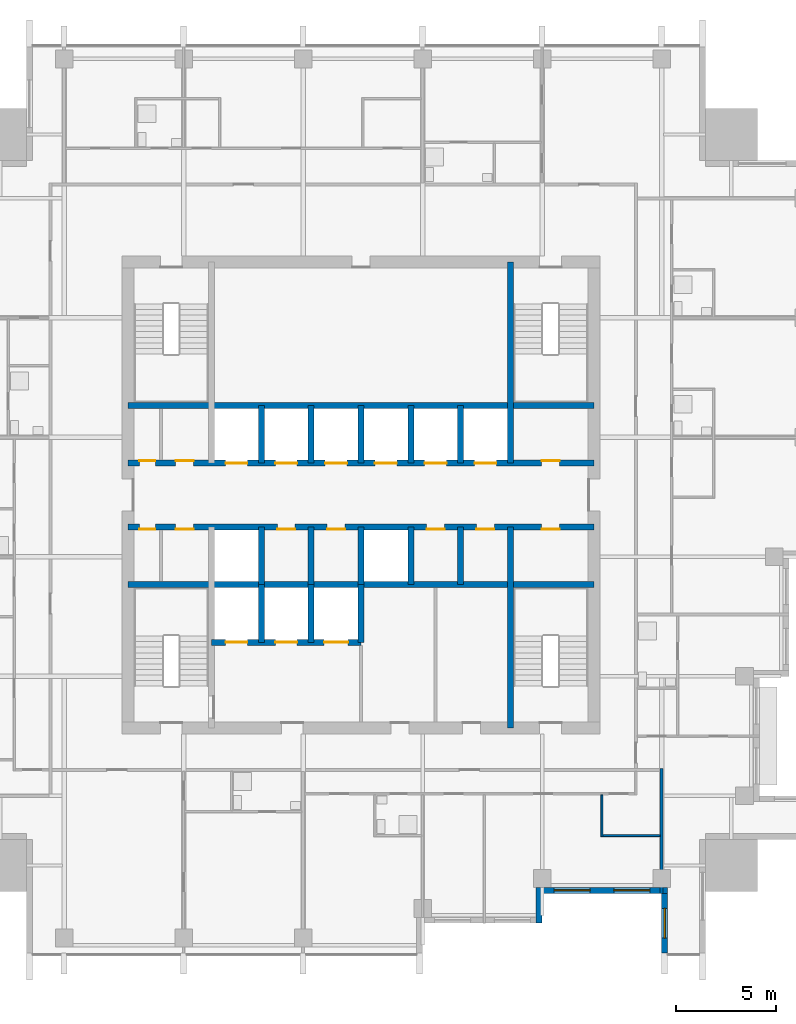
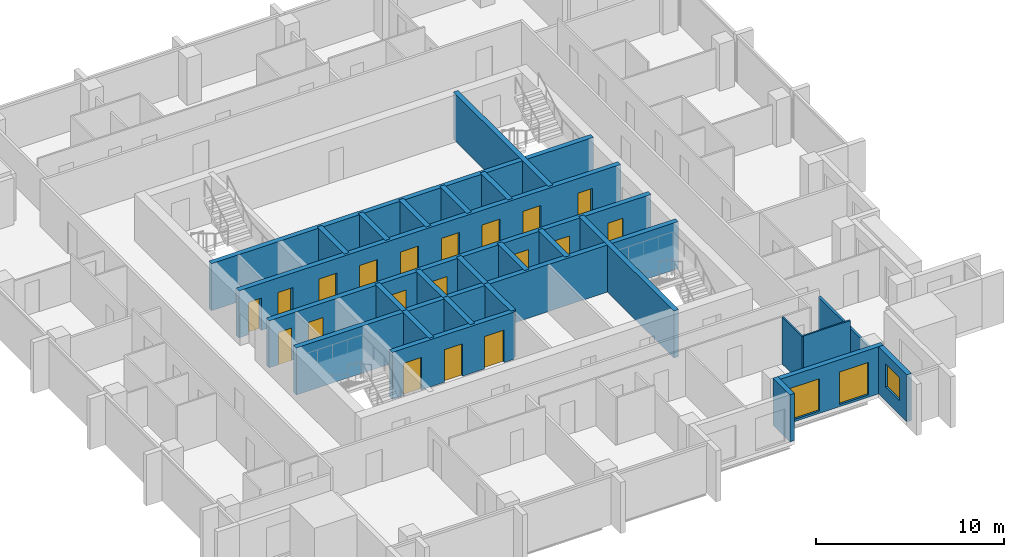
# One storey, part 5 of 10: 26 walls, 19 doors, 3 windows, 22 openings.
"""IFC4 building model written with IfcOpenShell, lengths in metres."""

from ifc_helpers import new_model, si_unit, direction, frame, frame_2d, origin, place, context, subcontext, project, spatial, rectangle, extrude, material, layer, layer_set, type_object, element, fill, save


model = new_model("IFC4")

# Units and contexts
model_context = context("Model", 3, precision=1e-05, world=origin(), true_north=direction((0.0, 1.0)))
body_context = subcontext(model_context, "Body", "Model", "MODEL_VIEW")
ifc_project = project(units=[si_unit("LENGTHUNIT", "METRE"), si_unit("AREAUNIT", "SQUARE_METRE"), si_unit("VOLUMEUNIT", "CUBIC_METRE"), si_unit("PLANEANGLEUNIT", "RADIAN"), si_unit("MASSUNIT", "GRAM", prefix="KILO")], contexts=[model_context])

# Site, building, storey
site_placement = place(None, origin())
site = spatial("IfcSite", under=ifc_project, at=site_placement, CompositionType="ELEMENT")
building_placement = place(site_placement, origin())
building = spatial("IfcBuilding", under=site, at=building_placement, Name="Amberfall Residences", CompositionType="ELEMENT")
storey_placement = place(building_placement, frame((0.0, 0.0, 190.300048828125)))
storey = spatial("IfcBuildingStorey", under=building, at=storey_placement, Name="L50", CompositionType="ELEMENT", Elevation=190.300048828125)

# Wall
ifc_material_1 = material(Name="Pale stone cladding on insulated backing", Category="masonry")
ifc_layer_1 = layer(ifc_material_1, 0.300048828125)
ifc_layer_set_1 = layer_set([ifc_layer_1], Name="Bronze clad wall 300")
wall_type_1 = type_object("IfcWallType", Name="Bronze clad wall 300", PredefinedType="SOLIDWALL", material=ifc_layer_set_1)
wall_1_placement = place(storey_placement, frame((83.449951171875, 24.0, 0.0), z_axis=(0.0, 0.0, 1.0), x_axis=(0.0, 1.0, 0.0)))
element("IfcWall", 1, at=wall_1_placement, inside=storey, type_object=wall_type_1, Name="External wall L50 S", PredefinedType="SOLIDWALL", context=body_context, shape_type="SweptSolid", body=[
    extrude(rectangle(XDim=1.800048828125, YDim=0.300048828125, at=frame_2d((0.89990234375, 0.0))), origin(), (0.0, 0.0, 1.0), 3.050048828125),
])

# Wall, opening, window
wall_2_placement = place(storey_placement, frame((89.75, 25.5, 0.0), z_axis=(0.0, 0.0, 1.0), x_axis=(0.0, -1.0, 0.0)))
wall_2 = element("IfcWall", 2, at=wall_2_placement, inside=storey, type_object=wall_type_1, Name="External wall L50 S", PredefinedType="SOLIDWALL", context=body_context, shape_type="SweptSolid", body=[
    extrude(rectangle(XDim=3.0, YDim=0.300048828125, at=frame_2d((1.5, 0.0))), origin(), (0.0, 0.0, 1.0), 3.050048828125),
])
opening_1_placement = place(wall_2_placement, frame((0.75, 0.0, 0.89990234375)))
opening_1 = element("IfcOpeningElement", 3, at=opening_1_placement, cuts=wall_2, Name="Opening WN1", PredefinedType="OPENING", context=body_context, shape_type="SweptSolid", body=[
    extrude(rectangle(XDim=1.5, YDim=1.5, at=frame_2d((0.75, 0.75))), frame((0.0, 0.159912109375, 0.0), z_axis=(0.0, -1.0, 0.0), x_axis=(1.0, 0.0, 0.0)), (0.0, 0.0, 1.0), 0.320068359375),
])
ifc_material_2 = material(Name="Bronze aluminium framed glazing", Category="aluminium")
window_type_1 = type_object("IfcWindowType", Name="Window 1500 x 1500 bronze", PartitioningType="DOUBLE_PANEL_VERTICAL", PredefinedType="WINDOW", material=ifc_material_2)
window_1_placement = place(opening_1_placement, origin())
window_1 = element("IfcWindow", 4, at=window_1_placement, inside=storey, type_object=window_type_1, Name="Window L50 S", OverallHeight=1.5, OverallWidth=1.5, PartitioningType="DOUBLE_PANEL_VERTICAL", PredefinedType="WINDOW", context=body_context, shape_type="SweptSolid", body=[
    extrude(rectangle(XDim=1.5, YDim=1.5, at=frame_2d((0.75, 0.75))), frame((0.0, 0.030029296875, 0.0), z_axis=(0.0, -1.0, 0.0), x_axis=(1.0, 0.0, 0.0)), (0.0, 0.0, 1.0), 0.06005859375),
])
fill(opening_1, window_1)

# Wall, openings, windows
wall_3_placement = place(storey_placement, frame((83.60009765625, 25.64990234375, 0.0), z_axis=(0.0, 0.0, 1.0), x_axis=(1.0, 0.0, 0.0)))
wall_3 = element("IfcWall", 5, at=wall_3_placement, inside=storey, type_object=wall_type_1, Name="Stone wall L50 S", PredefinedType="SOLIDWALL", context=body_context, shape_type="SweptSolid", body=[
    extrude(rectangle(XDim=6.2998046875, YDim=0.300048828125, at=frame_2d((3.14990234375, 0.0))), origin(), (0.0, 0.0, 1.0), 3.050048828125),
])
opening_2_placement = place(wall_3_placement, frame((0.60009765625, 0.0, 0.14990234375)))
opening_2 = element("IfcOpeningElement", 6, at=opening_2_placement, cuts=wall_3, Name="Opening WN6", PredefinedType="OPENING", context=body_context, shape_type="SweptSolid", body=[
    extrude(rectangle(XDim=1.800048828125, YDim=2.10009765625, at=frame_2d((0.89990234375, 1.050048828125))), frame((0.0, 0.159912109375, 0.0), z_axis=(0.0, -1.0, 0.0), x_axis=(1.0, 0.0, 0.0)), (0.0, 0.0, 1.0), 0.320068359375),
])
opening_3_placement = place(wall_3_placement, frame((3.60009765625, 0.0, 0.14990234375)))
opening_3 = element("IfcOpeningElement", 7, at=opening_3_placement, cuts=wall_3, Name="Opening WN6", PredefinedType="OPENING", context=body_context, shape_type="SweptSolid", body=[
    extrude(rectangle(XDim=1.800048828125, YDim=2.10009765625, at=frame_2d((0.89990234375, 1.050048828125))), frame((0.0, 0.159912109375, 0.0), z_axis=(0.0, -1.0, 0.0), x_axis=(1.0, 0.0, 0.0)), (0.0, 0.0, 1.0), 0.320068359375),
])
window_type_2 = type_object("IfcWindowType", Name="Glazed opening 1800 x 2100 bronze", PartitioningType="DOUBLE_PANEL_VERTICAL", PredefinedType="WINDOW", material=ifc_material_2)
window_2_placement = place(opening_2_placement, origin())
window_2 = element("IfcWindow", 8, at=window_2_placement, inside=storey, type_object=window_type_2, Name="Window L50 S", OverallHeight=2.10009765625, OverallWidth=1.800048828125, PartitioningType="DOUBLE_PANEL_VERTICAL", PredefinedType="WINDOW", context=body_context, shape_type="SweptSolid", body=[
    extrude(rectangle(XDim=1.800048828125, YDim=2.10009765625, at=frame_2d((0.89990234375, 1.050048828125))), frame((0.0, 0.030029296875, 0.0), z_axis=(0.0, -1.0, 0.0), x_axis=(1.0, 0.0, 0.0)), (0.0, 0.0, 1.0), 0.06005859375),
])
fill(opening_2, window_2)
window_3_placement = place(opening_3_placement, origin())
window_3 = element("IfcWindow", 9, at=window_3_placement, inside=storey, type_object=window_type_2, Name="Window L50 S", OverallHeight=2.10009765625, OverallWidth=1.800048828125, PartitioningType="DOUBLE_PANEL_VERTICAL", PredefinedType="WINDOW", context=body_context, shape_type="SweptSolid", body=[
    extrude(rectangle(XDim=1.800048828125, YDim=2.10009765625, at=frame_2d((0.89990234375, 1.050048828125))), frame((0.0, 0.030029296875, 0.0), z_axis=(0.0, -1.0, 0.0), x_axis=(1.0, 0.0, 0.0)), (0.0, 0.0, 1.0), 0.06005859375),
])
fill(opening_3, window_3)

# Wall
ifc_material_3 = material(Name="Concrete C55", Category="concrete")
ifc_layer_2 = layer(ifc_material_3, 0.300048828125)
ifc_layer_set_2 = layer_set([ifc_layer_2], Name="Core wall 300 C55")
wall_type_2 = type_object("IfcWallType", Name="Core wall 300 C55", PredefinedType="SHEAR", material=ifc_layer_set_2)
wall_4_placement = place(storey_placement, frame((62.800048828125, 41.0, 0.0), z_axis=(0.0, 0.0, 1.0), x_axis=(1.0, 0.0, 0.0)))
element("IfcWall", 10, at=wall_4_placement, inside=storey, type_object=wall_type_2, Name="Core wall RW8 L50 H75", PredefinedType="SHEAR", context=body_context, shape_type="SweptSolid", body=[
    extrude(rectangle(XDim=23.39990234375, YDim=0.300048828125, at=frame_2d((11.699951171875, 0.0))), origin(), (0.0, 0.0, 1.0), 3.050048828125),
])

# Wall, openings, doors
wall_5_placement = place(storey_placement, frame((62.800048828125, 43.89990234375, 0.0), z_axis=(0.0, 0.0, 1.0), x_axis=(1.0, 0.0, 0.0)))
wall_5 = element("IfcWall", 11, at=wall_5_placement, inside=storey, type_object=wall_type_2, Name="Core wall RW8 L50 H104", PredefinedType="SHEAR", context=body_context, shape_type="SweptSolid", body=[
    extrude(rectangle(XDim=23.39990234375, YDim=0.300048828125, at=frame_2d((11.699951171875, 0.0))), origin(), (0.0, 0.0, 1.0), 3.050048828125),
])
opening_4_placement = place(wall_5_placement, frame((0.574951171875, 0.0, 0.0)))
opening_4 = element("IfcOpeningElement", 12, at=opening_4_placement, cuts=wall_5, Name="Opening RD2", PredefinedType="OPENING", context=body_context, shape_type="SweptSolid", body=[
    extrude(rectangle(XDim=0.800048828125, YDim=2.10009765625, at=frame_2d((0.39990234375, 1.050048828125))), frame((0.0, 0.159912109375, 0.0), z_axis=(0.0, -1.0, 0.0), x_axis=(1.0, 0.0, 0.0)), (0.0, 0.0, 1.0), 0.320068359375),
])
opening_5_placement = place(wall_5_placement, frame((2.39990234375, 0.0, 0.0)))
opening_5 = element("IfcOpeningElement", 13, at=opening_5_placement, cuts=wall_5, Name="Opening RD1", PredefinedType="OPENING", context=body_context, shape_type="SweptSolid", body=[
    extrude(rectangle(XDim=0.89990234375, YDim=2.10009765625, at=frame_2d((0.449951171875, 1.050048828125))), frame((0.0, 0.159912109375, 0.0), z_axis=(0.0, -1.0, 0.0), x_axis=(1.0, 0.0, 0.0)), (0.0, 0.0, 1.0), 0.320068359375),
])
opening_6_placement = place(wall_5_placement, frame((20.77490234375, 0.0, 0.0)))
opening_6 = element("IfcOpeningElement", 14, at=opening_6_placement, cuts=wall_5, Name="Opening RD1", PredefinedType="OPENING", context=body_context, shape_type="SweptSolid", body=[
    extrude(rectangle(XDim=0.89990234375, YDim=2.10009765625, at=frame_2d((0.449951171875, 1.050048828125))), frame((0.0, 0.159912109375, 0.0), z_axis=(0.0, -1.0, 0.0), x_axis=(1.0, 0.0, 0.0)), (0.0, 0.0, 1.0), 0.320068359375),
])
opening_7_placement = place(wall_5_placement, frame((7.5, 0.0, 0.0)))
opening_7 = element("IfcOpeningElement", 15, at=opening_7_placement, cuts=wall_5, Name="Opening RD1", PredefinedType="OPENING", context=body_context, shape_type="SweptSolid", body=[
    extrude(rectangle(XDim=0.89990234375, YDim=2.10009765625, at=frame_2d((0.449951171875, 1.050048828125))), frame((0.0, 0.159912109375, 0.0), z_axis=(0.0, -1.0, 0.0), x_axis=(1.0, 0.0, 0.0)), (0.0, 0.0, 1.0), 0.320068359375),
])
opening_8_placement = place(wall_5_placement, frame((10.0, 0.0, 0.0)))
opening_8 = element("IfcOpeningElement", 16, at=opening_8_placement, cuts=wall_5, Name="Opening RD1", PredefinedType="OPENING", context=body_context, shape_type="SweptSolid", body=[
    extrude(rectangle(XDim=0.89990234375, YDim=2.10009765625, at=frame_2d((0.449951171875, 1.050048828125))), frame((0.0, 0.159912109375, 0.0), z_axis=(0.0, -1.0, 0.0), x_axis=(1.0, 0.0, 0.0)), (0.0, 0.0, 1.0), 0.320068359375),
])
opening_9_placement = place(wall_5_placement, frame((15.0, 0.0, 0.0)))
opening_9 = element("IfcOpeningElement", 17, at=opening_9_placement, cuts=wall_5, Name="Opening RD1", PredefinedType="OPENING", context=body_context, shape_type="SweptSolid", body=[
    extrude(rectangle(XDim=0.89990234375, YDim=2.10009765625, at=frame_2d((0.449951171875, 1.050048828125))), frame((0.0, 0.159912109375, 0.0), z_axis=(0.0, -1.0, 0.0), x_axis=(1.0, 0.0, 0.0)), (0.0, 0.0, 1.0), 0.320068359375),
])
opening_10_placement = place(wall_5_placement, frame((17.5, 0.0, 0.0)))
opening_10 = element("IfcOpeningElement", 18, at=opening_10_placement, cuts=wall_5, Name="Opening RD1", PredefinedType="OPENING", context=body_context, shape_type="SweptSolid", body=[
    extrude(rectangle(XDim=0.89990234375, YDim=2.10009765625, at=frame_2d((0.449951171875, 1.050048828125))), frame((0.0, 0.159912109375, 0.0), z_axis=(0.0, -1.0, 0.0), x_axis=(1.0, 0.0, 0.0)), (0.0, 0.0, 1.0), 0.320068359375),
])
ifc_material_4 = material(Name="Steel fire door set", Category="steel")
door_type_1 = type_object("IfcDoorType", Name="Service room door 800 x 2100", OperationType="SINGLE_SWING_LEFT", PredefinedType="DOOR", material=ifc_material_4)
door_1_placement = place(opening_4_placement, origin())
door_1 = element("IfcDoor", 19, at=door_1_placement, inside=storey, type_object=door_type_1, Name="RD2 L50", OperationType="SINGLE_SWING_LEFT", OverallHeight=2.10009765625, OverallWidth=0.800048828125, PredefinedType="DOOR", context=body_context, shape_type="SweptSolid", body=[
    extrude(rectangle(XDim=0.800048828125, YDim=2.10009765625, at=frame_2d((0.39990234375, 1.050048828125))), frame((0.0, -0.08740234375, 0.0), z_axis=(0.0, -1.0, 0.0), x_axis=(1.0, 0.0, 0.0)), (0.0, 0.0, 1.0), 0.050048828125),
])
fill(opening_4, door_1)
door_type_2 = type_object("IfcDoorType", Name="Service room door 900 x 2100", OperationType="SINGLE_SWING_LEFT", PredefinedType="DOOR", material=ifc_material_4)
door_2_placement = place(opening_5_placement, origin())
door_2 = element("IfcDoor", 20, at=door_2_placement, inside=storey, type_object=door_type_2, Name="RD1 L50", OperationType="SINGLE_SWING_RIGHT", OverallHeight=2.10009765625, OverallWidth=0.89990234375, PredefinedType="DOOR", context=body_context, shape_type="SweptSolid", body=[
    extrude(rectangle(XDim=0.89990234375, YDim=2.10009765625, at=frame_2d((0.449951171875, 1.050048828125))), frame((0.0, -0.08740234375, 0.0), z_axis=(0.0, -1.0, 0.0), x_axis=(1.0, 0.0, 0.0)), (0.0, 0.0, 1.0), 0.050048828125),
])
fill(opening_5, door_2)
door_3_placement = place(opening_6_placement, origin())
door_3 = element("IfcDoor", 21, at=door_3_placement, inside=storey, type_object=door_type_2, Name="RD1 L50", OperationType="SINGLE_SWING_LEFT", OverallHeight=2.10009765625, OverallWidth=0.89990234375, PredefinedType="DOOR", context=body_context, shape_type="SweptSolid", body=[
    extrude(rectangle(XDim=0.89990234375, YDim=2.10009765625, at=frame_2d((0.449951171875, 1.050048828125))), frame((0.0, -0.08740234375, 0.0), z_axis=(0.0, -1.0, 0.0), x_axis=(1.0, 0.0, 0.0)), (0.0, 0.0, 1.0), 0.050048828125),
])
fill(opening_6, door_3)
door_4_placement = place(opening_7_placement, origin())
door_4 = element("IfcDoor", 22, at=door_4_placement, inside=storey, type_object=door_type_2, Name="RD1 L50", OperationType="SINGLE_SWING_LEFT", OverallHeight=2.10009765625, OverallWidth=0.89990234375, PredefinedType="DOOR", context=body_context, shape_type="SweptSolid", body=[
    extrude(rectangle(XDim=0.89990234375, YDim=2.10009765625, at=frame_2d((0.449951171875, 1.050048828125))), frame((0.0, -0.08740234375, 0.0), z_axis=(0.0, -1.0, 0.0), x_axis=(1.0, 0.0, 0.0)), (0.0, 0.0, 1.0), 0.050048828125),
])
fill(opening_7, door_4)
door_5_placement = place(opening_8_placement, origin())
door_5 = element("IfcDoor", 23, at=door_5_placement, inside=storey, type_object=door_type_2, Name="RD1 L50", OperationType="SINGLE_SWING_RIGHT", OverallHeight=2.10009765625, OverallWidth=0.89990234375, PredefinedType="DOOR", context=body_context, shape_type="SweptSolid", body=[
    extrude(rectangle(XDim=0.89990234375, YDim=2.10009765625, at=frame_2d((0.449951171875, 1.050048828125))), frame((0.0, -0.08740234375, 0.0), z_axis=(0.0, -1.0, 0.0), x_axis=(1.0, 0.0, 0.0)), (0.0, 0.0, 1.0), 0.050048828125),
])
fill(opening_8, door_5)
door_6_placement = place(opening_9_placement, origin())
door_6 = element("IfcDoor", 24, at=door_6_placement, inside=storey, type_object=door_type_2, Name="RD1 L50", OperationType="SINGLE_SWING_RIGHT", OverallHeight=2.10009765625, OverallWidth=0.89990234375, PredefinedType="DOOR", context=body_context, shape_type="SweptSolid", body=[
    extrude(rectangle(XDim=0.89990234375, YDim=2.10009765625, at=frame_2d((0.449951171875, 1.050048828125))), frame((0.0, -0.08740234375, 0.0), z_axis=(0.0, -1.0, 0.0), x_axis=(1.0, 0.0, 0.0)), (0.0, 0.0, 1.0), 0.050048828125),
])
fill(opening_9, door_6)
door_7_placement = place(opening_10_placement, origin())
door_7 = element("IfcDoor", 25, at=door_7_placement, inside=storey, type_object=door_type_2, Name="RD1 L50", OperationType="SINGLE_SWING_LEFT", OverallHeight=2.10009765625, OverallWidth=0.89990234375, PredefinedType="DOOR", context=body_context, shape_type="SweptSolid", body=[
    extrude(rectangle(XDim=0.89990234375, YDim=2.10009765625, at=frame_2d((0.449951171875, 1.050048828125))), frame((0.0, -0.08740234375, 0.0), z_axis=(0.0, -1.0, 0.0), x_axis=(1.0, 0.0, 0.0)), (0.0, 0.0, 1.0), 0.050048828125),
])
fill(opening_10, door_7)

wall_6_placement = place(storey_placement, frame((62.800048828125, 47.10009765625, 0.0), z_axis=(0.0, 0.0, 1.0), x_axis=(1.0, 0.0, 0.0)))
wall_6 = element("IfcWall", 26, at=wall_6_placement, inside=storey, type_object=wall_type_2, Name="Core wall RW8 L50 H136", PredefinedType="SHEAR", context=body_context, shape_type="SweptSolid", body=[
    extrude(rectangle(XDim=23.39990234375, YDim=0.300048828125, at=frame_2d((11.699951171875, 0.0))), origin(), (0.0, 0.0, 1.0), 3.050048828125),
])
opening_11_placement = place(wall_6_placement, frame((0.574951171875, 0.0, 0.0)))
opening_11 = element("IfcOpeningElement", 27, at=opening_11_placement, cuts=wall_6, Name="Opening RD2", PredefinedType="OPENING", context=body_context, shape_type="SweptSolid", body=[
    extrude(rectangle(XDim=0.800048828125, YDim=2.10009765625, at=frame_2d((0.39990234375, 1.050048828125))), frame((0.0, 0.159912109375, 0.0), z_axis=(0.0, -1.0, 0.0), x_axis=(1.0, 0.0, 0.0)), (0.0, 0.0, 1.0), 0.320068359375),
])
opening_12_placement = place(wall_6_placement, frame((2.39990234375, 0.0, 0.0)))
opening_12 = element("IfcOpeningElement", 28, at=opening_12_placement, cuts=wall_6, Name="Opening RD1", PredefinedType="OPENING", context=body_context, shape_type="SweptSolid", body=[
    extrude(rectangle(XDim=0.89990234375, YDim=2.10009765625, at=frame_2d((0.449951171875, 1.050048828125))), frame((0.0, 0.159912109375, 0.0), z_axis=(0.0, -1.0, 0.0), x_axis=(1.0, 0.0, 0.0)), (0.0, 0.0, 1.0), 0.320068359375),
])
opening_13_placement = place(wall_6_placement, frame((20.77490234375, 0.0, 0.0)))
opening_13 = element("IfcOpeningElement", 29, at=opening_13_placement, cuts=wall_6, Name="Opening RD1", PredefinedType="OPENING", context=body_context, shape_type="SweptSolid", body=[
    extrude(rectangle(XDim=0.89990234375, YDim=2.10009765625, at=frame_2d((0.449951171875, 1.050048828125))), frame((0.0, 0.159912109375, 0.0), z_axis=(0.0, -1.0, 0.0), x_axis=(1.0, 0.0, 0.0)), (0.0, 0.0, 1.0), 0.320068359375),
])
opening_14_placement = place(wall_6_placement, frame((4.89990234375, 0.0, 0.0)))
opening_14 = element("IfcOpeningElement", 30, at=opening_14_placement, cuts=wall_6, Name="Opening LD1", PredefinedType="OPENING", context=body_context, shape_type="SweptSolid", body=[
    extrude(rectangle(XDim=1.10009765625, YDim=2.10009765625, at=frame_2d((0.550048828125, 1.050048828125))), frame((0.0, 0.159912109375, 0.0), z_axis=(0.0, -1.0, 0.0), x_axis=(1.0, 0.0, 0.0)), (0.0, 0.0, 1.0), 0.320068359375),
])
opening_15_placement = place(wall_6_placement, frame((7.39990234375, 0.0, 0.0)))
opening_15 = element("IfcOpeningElement", 31, at=opening_15_placement, cuts=wall_6, Name="Opening LD1", PredefinedType="OPENING", context=body_context, shape_type="SweptSolid", body=[
    extrude(rectangle(XDim=1.10009765625, YDim=2.10009765625, at=frame_2d((0.550048828125, 1.050048828125))), frame((0.0, 0.159912109375, 0.0), z_axis=(0.0, -1.0, 0.0), x_axis=(1.0, 0.0, 0.0)), (0.0, 0.0, 1.0), 0.320068359375),
])
opening_16_placement = place(wall_6_placement, frame((9.89990234375, 0.0, 0.0)))
opening_16 = element("IfcOpeningElement", 32, at=opening_16_placement, cuts=wall_6, Name="Opening LD1", PredefinedType="OPENING", context=body_context, shape_type="SweptSolid", body=[
    extrude(rectangle(XDim=1.10009765625, YDim=2.10009765625, at=frame_2d((0.550048828125, 1.050048828125))), frame((0.0, 0.159912109375, 0.0), z_axis=(0.0, -1.0, 0.0), x_axis=(1.0, 0.0, 0.0)), (0.0, 0.0, 1.0), 0.320068359375),
])
opening_17_placement = place(wall_6_placement, frame((12.39990234375, 0.0, 0.0)))
opening_17 = element("IfcOpeningElement", 33, at=opening_17_placement, cuts=wall_6, Name="Opening LD1", PredefinedType="OPENING", context=body_context, shape_type="SweptSolid", body=[
    extrude(rectangle(XDim=1.10009765625, YDim=2.10009765625, at=frame_2d((0.550048828125, 1.050048828125))), frame((0.0, 0.159912109375, 0.0), z_axis=(0.0, -1.0, 0.0), x_axis=(1.0, 0.0, 0.0)), (0.0, 0.0, 1.0), 0.320068359375),
])
opening_18_placement = place(wall_6_placement, frame((14.89990234375, 0.0, 0.0)))
opening_18 = element("IfcOpeningElement", 34, at=opening_18_placement, cuts=wall_6, Name="Opening LD1", PredefinedType="OPENING", context=body_context, shape_type="SweptSolid", body=[
    extrude(rectangle(XDim=1.10009765625, YDim=2.10009765625, at=frame_2d((0.550048828125, 1.050048828125))), frame((0.0, 0.159912109375, 0.0), z_axis=(0.0, -1.0, 0.0), x_axis=(1.0, 0.0, 0.0)), (0.0, 0.0, 1.0), 0.320068359375),
])
opening_19_placement = place(wall_6_placement, frame((17.39990234375, 0.0, 0.0)))
opening_19 = element("IfcOpeningElement", 35, at=opening_19_placement, cuts=wall_6, Name="Opening LD1", PredefinedType="OPENING", context=body_context, shape_type="SweptSolid", body=[
    extrude(rectangle(XDim=1.10009765625, YDim=2.10009765625, at=frame_2d((0.550048828125, 1.050048828125))), frame((0.0, 0.159912109375, 0.0), z_axis=(0.0, -1.0, 0.0), x_axis=(1.0, 0.0, 0.0)), (0.0, 0.0, 1.0), 0.320068359375),
])
door_type_3 = type_object("IfcDoorType", Name="Lift landing door 1100 x 2100", OperationType="DOUBLE_DOOR_SLIDING", PredefinedType="DOOR", material=ifc_material_4)
door_8_placement = place(opening_14_placement, origin())
door_8 = element("IfcDoor", 36, at=door_8_placement, inside=storey, type_object=door_type_3, Name="Landing door HP1 L50", OperationType="DOUBLE_DOOR_SLIDING", OverallHeight=2.10009765625, OverallWidth=1.10009765625, PredefinedType="DOOR", context=body_context, shape_type="SweptSolid", body=[
    extrude(rectangle(XDim=1.10009765625, YDim=2.10009765625, at=frame_2d((0.550048828125, 1.050048828125))), frame((0.0, 0.02490234375, 0.0), z_axis=(0.0, -1.0, 0.0), x_axis=(1.0, 0.0, 0.0)), (0.0, 0.0, 1.0), 0.050048828125),
])
fill(opening_14, door_8)
door_9_placement = place(opening_15_placement, origin())
door_9 = element("IfcDoor", 37, at=door_9_placement, inside=storey, type_object=door_type_3, Name="Landing door HP2 L50", OperationType="DOUBLE_DOOR_SLIDING", OverallHeight=2.10009765625, OverallWidth=1.10009765625, PredefinedType="DOOR", context=body_context, shape_type="SweptSolid", body=[
    extrude(rectangle(XDim=1.10009765625, YDim=2.10009765625, at=frame_2d((0.550048828125, 1.050048828125))), frame((0.0, 0.02490234375, 0.0), z_axis=(0.0, -1.0, 0.0), x_axis=(1.0, 0.0, 0.0)), (0.0, 0.0, 1.0), 0.050048828125),
])
fill(opening_15, door_9)
door_10_placement = place(opening_16_placement, origin())
door_10 = element("IfcDoor", 38, at=door_10_placement, inside=storey, type_object=door_type_3, Name="Landing door HP3 L50", OperationType="DOUBLE_DOOR_SLIDING", OverallHeight=2.10009765625, OverallWidth=1.10009765625, PredefinedType="DOOR", context=body_context, shape_type="SweptSolid", body=[
    extrude(rectangle(XDim=1.10009765625, YDim=2.10009765625, at=frame_2d((0.550048828125, 1.050048828125))), frame((0.0, 0.02490234375, 0.0), z_axis=(0.0, -1.0, 0.0), x_axis=(1.0, 0.0, 0.0)), (0.0, 0.0, 1.0), 0.050048828125),
])
fill(opening_16, door_10)
door_11_placement = place(opening_17_placement, origin())
door_11 = element("IfcDoor", 39, at=door_11_placement, inside=storey, type_object=door_type_3, Name="Landing door HP4 L50", OperationType="DOUBLE_DOOR_SLIDING", OverallHeight=2.10009765625, OverallWidth=1.10009765625, PredefinedType="DOOR", context=body_context, shape_type="SweptSolid", body=[
    extrude(rectangle(XDim=1.10009765625, YDim=2.10009765625, at=frame_2d((0.550048828125, 1.050048828125))), frame((0.0, 0.02490234375, 0.0), z_axis=(0.0, -1.0, 0.0), x_axis=(1.0, 0.0, 0.0)), (0.0, 0.0, 1.0), 0.050048828125),
])
fill(opening_17, door_11)
door_12_placement = place(opening_18_placement, origin())
door_12 = element("IfcDoor", 40, at=door_12_placement, inside=storey, type_object=door_type_3, Name="Landing door HP5 L50", OperationType="DOUBLE_DOOR_SLIDING", OverallHeight=2.10009765625, OverallWidth=1.10009765625, PredefinedType="DOOR", context=body_context, shape_type="SweptSolid", body=[
    extrude(rectangle(XDim=1.10009765625, YDim=2.10009765625, at=frame_2d((0.550048828125, 1.050048828125))), frame((0.0, 0.02490234375, 0.0), z_axis=(0.0, -1.0, 0.0), x_axis=(1.0, 0.0, 0.0)), (0.0, 0.0, 1.0), 0.050048828125),
])
fill(opening_18, door_12)
door_13_placement = place(opening_19_placement, origin())
door_13 = element("IfcDoor", 41, at=door_13_placement, inside=storey, type_object=door_type_3, Name="Landing door HP6 L50", OperationType="DOUBLE_DOOR_SLIDING", OverallHeight=2.10009765625, OverallWidth=1.10009765625, PredefinedType="DOOR", context=body_context, shape_type="SweptSolid", body=[
    extrude(rectangle(XDim=1.10009765625, YDim=2.10009765625, at=frame_2d((0.550048828125, 1.050048828125))), frame((0.0, 0.02490234375, 0.0), z_axis=(0.0, -1.0, 0.0), x_axis=(1.0, 0.0, 0.0)), (0.0, 0.0, 1.0), 0.050048828125),
])
fill(opening_19, door_13)
door_14_placement = place(opening_11_placement, origin())
door_14 = element("IfcDoor", 42, at=door_14_placement, inside=storey, type_object=door_type_1, Name="RD2 L50", OperationType="SINGLE_SWING_LEFT", OverallHeight=2.10009765625, OverallWidth=0.800048828125, PredefinedType="DOOR", context=body_context, shape_type="SweptSolid", body=[
    extrude(rectangle(XDim=0.800048828125, YDim=2.10009765625, at=frame_2d((0.39990234375, 1.050048828125))), frame((0.0, 0.1376953125, 0.0), z_axis=(0.0, -1.0, 0.0), x_axis=(1.0, 0.0, 0.0)), (0.0, 0.0, 1.0), 0.050048828125),
])
fill(opening_11, door_14)
door_15_placement = place(opening_12_placement, origin())
door_15 = element("IfcDoor", 43, at=door_15_placement, inside=storey, type_object=door_type_2, Name="RD1 L50", OperationType="SINGLE_SWING_RIGHT", OverallHeight=2.10009765625, OverallWidth=0.89990234375, PredefinedType="DOOR", context=body_context, shape_type="SweptSolid", body=[
    extrude(rectangle(XDim=0.89990234375, YDim=2.10009765625, at=frame_2d((0.449951171875, 1.050048828125))), frame((0.0, 0.1376953125, 0.0), z_axis=(0.0, -1.0, 0.0), x_axis=(1.0, 0.0, 0.0)), (0.0, 0.0, 1.0), 0.050048828125),
])
fill(opening_12, door_15)
door_16_placement = place(opening_13_placement, origin())
door_16 = element("IfcDoor", 44, at=door_16_placement, inside=storey, type_object=door_type_2, Name="RD1 L50", OperationType="SINGLE_SWING_LEFT", OverallHeight=2.10009765625, OverallWidth=0.89990234375, PredefinedType="DOOR", context=body_context, shape_type="SweptSolid", body=[
    extrude(rectangle(XDim=0.89990234375, YDim=2.10009765625, at=frame_2d((0.449951171875, 1.050048828125))), frame((0.0, 0.1376953125, 0.0), z_axis=(0.0, -1.0, 0.0), x_axis=(1.0, 0.0, 0.0)), (0.0, 0.0, 1.0), 0.050048828125),
])
fill(opening_13, door_16)

# Walls
wall_7_placement = place(storey_placement, frame((62.800048828125, 50.0, 0.0), z_axis=(0.0, 0.0, 1.0), x_axis=(1.0, 0.0, 0.0)))
element("IfcWall", 45, at=wall_7_placement, inside=storey, type_object=wall_type_2, Name="Core wall RW8 L50 H165", PredefinedType="SHEAR", context=body_context, shape_type="SweptSolid", body=[
    extrude(rectangle(XDim=23.39990234375, YDim=0.300048828125, at=frame_2d((11.699951171875, 0.0))), origin(), (0.0, 0.0, 1.0), 3.050048828125),
])
for number, where, z_axis, x_axis, name in (
    (46, (82.0, 33.800048828125, 0.0), (0.0, 0.0, 1.0), (0.0, 1.0, 0.0), "Core wall RW8 L50 V195S"),
    (47, (82.0, 47.10009765625, 0.0), (0.0, 0.0, 1.0), (0.0, 1.0, 0.0), "Core wall RW8 L50 V195N"),
):
    element("IfcWall", number, at=place(storey_placement, frame(where, z_axis=z_axis, x_axis=x_axis)), inside=storey, type_object=wall_type_2, Name=name, PredefinedType="SHEAR", context=body_context, shape_type="SweptSolid", body=[
        extrude(rectangle(XDim=10.099853515625, YDim=0.300048828125, at=frame_2d((5.0498046875, 0.0))), origin(), (0.0, 0.0, 1.0), 3.050048828125),
    ])
for number, where, z_axis, x_axis, name in (
    (48, (69.5, 41.0, 0.0), (0.0, 0.0, 1.0), (0.0, 1.0, 0.0), "Core wall RW8 L50 LPD1"),
    (49, (69.5, 47.10009765625, 0.0), (0.0, 0.0, 1.0), (0.0, 1.0, 0.0), "Core wall RW8 L50 HPD1"),
    (50, (72.0, 41.0, 0.0), (0.0, 0.0, 1.0), (0.0, 1.0, 0.0), "Core wall RW8 L50 LPD2"),
    (51, (72.0, 47.10009765625, 0.0), (0.0, 0.0, 1.0), (0.0, 1.0, 0.0), "Core wall RW8 L50 HPD2"),
    (52, (74.5, 41.0, 0.0), (0.0, 0.0, 1.0), (0.0, 1.0, 0.0), "Core wall RW8 L50 LPD3"),
    (53, (74.5, 47.10009765625, 0.0), (0.0, 0.0, 1.0), (0.0, 1.0, 0.0), "Core wall RW8 L50 HPD3"),
    (54, (77.0, 41.0, 0.0), (0.0, 0.0, 1.0), (0.0, 1.0, 0.0), "Core wall RW8 L50 LPD4"),
    (55, (77.0, 47.10009765625, 0.0), (0.0, 0.0, 1.0), (0.0, 1.0, 0.0), "Core wall RW8 L50 HPD4"),
    (56, (79.5, 41.0, 0.0), (0.0, 0.0, 1.0), (0.0, 1.0, 0.0), "Core wall RW8 L50 LPD5"),
    (57, (79.5, 47.10009765625, 0.0), (0.0, 0.0, 1.0), (0.0, 1.0, 0.0), "Core wall RW8 L50 HPD5"),
):
    element("IfcWall", number, at=place(storey_placement, frame(where, z_axis=z_axis, x_axis=x_axis)), inside=storey, type_object=wall_type_2, Name=name, PredefinedType="SHEAR", context=body_context, shape_type="SweptSolid", body=[
        extrude(rectangle(XDim=2.89990234375, YDim=0.300048828125, at=frame_2d((1.449951171875, 0.0))), origin(), (0.0, 0.0, 1.0), 3.050048828125),
    ])

# Wall, openings, doors
wall_8_placement = place(storey_placement, frame((67.0, 38.10009765625, 0.0), z_axis=(0.0, 0.0, 1.0), x_axis=(1.0, 0.0, 0.0)))
wall_8 = element("IfcWall", 58, at=wall_8_placement, inside=storey, type_object=wall_type_2, Name="Core wall RW8 L50 FFF", PredefinedType="SHEAR", context=body_context, shape_type="SweptSolid", body=[
    extrude(rectangle(XDim=7.5, YDim=0.300048828125, at=frame_2d((3.75, 0.0))), origin(), (0.0, 0.0, 1.0), 3.050048828125),
])
opening_20_placement = place(wall_8_placement, frame((0.699951171875, 0.0, 0.0)))
opening_20 = element("IfcOpeningElement", 59, at=opening_20_placement, cuts=wall_8, Name="Opening LD2", PredefinedType="OPENING", context=body_context, shape_type="SweptSolid", body=[
    extrude(rectangle(XDim=1.10009765625, YDim=2.10009765625, at=frame_2d((0.550048828125, 1.050048828125))), frame((0.0, 0.159912109375, 0.0), z_axis=(0.0, -1.0, 0.0), x_axis=(1.0, 0.0, 0.0)), (0.0, 0.0, 1.0), 0.320068359375),
])
opening_21_placement = place(wall_8_placement, frame((3.199951171875, 0.0, 0.0)))
opening_21 = element("IfcOpeningElement", 60, at=opening_21_placement, cuts=wall_8, Name="Opening LD2", PredefinedType="OPENING", context=body_context, shape_type="SweptSolid", body=[
    extrude(rectangle(XDim=1.10009765625, YDim=2.10009765625, at=frame_2d((0.550048828125, 1.050048828125))), frame((0.0, 0.159912109375, 0.0), z_axis=(0.0, -1.0, 0.0), x_axis=(1.0, 0.0, 0.0)), (0.0, 0.0, 1.0), 0.320068359375),
])
opening_22_placement = place(wall_8_placement, frame((5.64990234375, 0.0, 0.0)))
opening_22 = element("IfcOpeningElement", 61, at=opening_22_placement, cuts=wall_8, Name="Opening LD3", PredefinedType="OPENING", context=body_context, shape_type="SweptSolid", body=[
    extrude(rectangle(XDim=1.199951171875, YDim=2.10009765625, at=frame_2d((0.60009765625, 1.050048828125))), frame((0.0, 0.159912109375, 0.0), z_axis=(0.0, -1.0, 0.0), x_axis=(1.0, 0.0, 0.0)), (0.0, 0.0, 1.0), 0.320068359375),
])
door_type_4 = type_object("IfcDoorType", Name="Firefighting lift landing door 1100 x 2100", OperationType="DOUBLE_DOOR_SLIDING", PredefinedType="DOOR", material=ifc_material_4)
door_17_placement = place(opening_20_placement, origin())
door_17 = element("IfcDoor", 62, at=door_17_placement, inside=storey, type_object=door_type_4, Name="Landing door FF1 L50", OperationType="DOUBLE_DOOR_SLIDING", OverallHeight=2.10009765625, OverallWidth=1.10009765625, PredefinedType="DOOR", context=body_context, shape_type="SweptSolid", body=[
    extrude(rectangle(XDim=1.10009765625, YDim=2.10009765625, at=frame_2d((0.550048828125, 1.050048828125))), frame((0.0, 0.02490234375, 0.0), z_axis=(0.0, -1.0, 0.0), x_axis=(1.0, 0.0, 0.0)), (0.0, 0.0, 1.0), 0.050048828125),
])
fill(opening_20, door_17)
door_18_placement = place(opening_21_placement, origin())
door_18 = element("IfcDoor", 63, at=door_18_placement, inside=storey, type_object=door_type_4, Name="Landing door FF2 L50", OperationType="DOUBLE_DOOR_SLIDING", OverallHeight=2.10009765625, OverallWidth=1.10009765625, PredefinedType="DOOR", context=body_context, shape_type="SweptSolid", body=[
    extrude(rectangle(XDim=1.10009765625, YDim=2.10009765625, at=frame_2d((0.550048828125, 1.050048828125))), frame((0.0, 0.02490234375, 0.0), z_axis=(0.0, -1.0, 0.0), x_axis=(1.0, 0.0, 0.0)), (0.0, 0.0, 1.0), 0.050048828125),
])
fill(opening_21, door_18)
door_type_5 = type_object("IfcDoorType", Name="Service lift landing door 1200 x 2100", OperationType="DOUBLE_DOOR_SLIDING", PredefinedType="DOOR", material=ifc_material_4)
door_19_placement = place(opening_22_placement, origin())
door_19 = element("IfcDoor", 64, at=door_19_placement, inside=storey, type_object=door_type_5, Name="Landing door SL1 L50", OperationType="DOUBLE_DOOR_SLIDING", OverallHeight=2.10009765625, OverallWidth=1.199951171875, PredefinedType="DOOR", context=body_context, shape_type="SweptSolid", body=[
    extrude(rectangle(XDim=1.199951171875, YDim=2.10009765625, at=frame_2d((0.60009765625, 1.050048828125))), frame((0.0, 0.02490234375, 0.0), z_axis=(0.0, -1.0, 0.0), x_axis=(1.0, 0.0, 0.0)), (0.0, 0.0, 1.0), 0.050048828125),
])
fill(opening_22, door_19)

# Walls
for number, where, z_axis, x_axis, name in (
    (65, (69.5, 38.10009765625, 0.0), (0.0, 0.0, 1.0), (0.0, 1.0, 0.0), "Core wall RW8 L50 FFD1"),
    (66, (72.0, 38.10009765625, 0.0), (0.0, 0.0, 1.0), (0.0, 1.0, 0.0), "Core wall RW8 L50 FFD2"),
    (67, (74.5, 38.10009765625, 0.0), (0.0, 0.0, 1.0), (0.0, 1.0, 0.0), "Core wall RW8 L50 FFD3"),
):
    element("IfcWall", number, at=place(storey_placement, frame(where, z_axis=z_axis, x_axis=x_axis)), inside=storey, type_object=wall_type_2, Name=name, PredefinedType="SHEAR", context=body_context, shape_type="SweptSolid", body=[
        extrude(rectangle(XDim=2.89990234375, YDim=0.300048828125, at=frame_2d((1.449951171875, 0.0))), origin(), (0.0, 0.0, 1.0), 3.050048828125),
    ])
ifc_material_5 = material(Name="Gypsum board on metal stud")
ifc_layer_3 = layer(ifc_material_5, 0.10009765625)
ifc_layer_set_3 = layer_set([ifc_layer_3], Name="Flat partition 100")
wall_type_3 = type_object("IfcWallType", Name="Flat partition 100", PredefinedType="PARTITIONING", material=ifc_layer_set_3)
wall_9_placement = place(storey_placement, frame((86.60009765625, 28.35009765625, 0.0), z_axis=(0.0, 0.0, 1.0), x_axis=(0.0, 1.0, 0.0)))
element("IfcWall", 68, at=wall_9_placement, inside=storey, type_object=wall_type_3, Name="Partition 016", PredefinedType="PARTITIONING", context=body_context, shape_type="SweptSolid", body=[
    extrude(rectangle(XDim=2.099853515625, YDim=0.10009765625, at=frame_2d((1.0498046875, 0.0))), origin(), (0.0, 0.0, 1.0), 3.050048828125),
])
wall_10_placement = place(storey_placement, frame((86.64990234375, 28.39990234375, 0.0), z_axis=(0.0, 0.0, 1.0), x_axis=(1.0, 0.0, 0.0)))
element("IfcWall", 69, at=wall_10_placement, inside=storey, type_object=wall_type_3, Name="Partition 043", PredefinedType="PARTITIONING", context=body_context, shape_type="SweptSolid", body=[
    extrude(rectangle(XDim=2.875, YDim=0.10009765625, at=frame_2d((1.4375, 0.0))), origin(), (0.0, 0.0, 1.0), 3.050048828125),
])
ifc_material_6 = material(Name="Blockwork, plastered", Category="masonry")
ifc_layer_4 = layer(ifc_material_6, 0.14990234375)
ifc_layer_set_4 = layer_set([ifc_layer_4], Name="Flat separating wall 150")
wall_type_4 = type_object("IfcWallType", Name="Flat separating wall 150", PredefinedType="PARTITIONING", material=ifc_layer_set_4)
wall_11_placement = place(storey_placement, frame((89.60009765625, 25.5, 0.0), z_axis=(0.0, 0.0, 1.0), x_axis=(0.0, 1.0, 0.0)))
element("IfcWall", 70, at=wall_11_placement, inside=storey, type_object=wall_type_4, Name="Separating wall 049", PredefinedType="PARTITIONING", context=body_context, shape_type="SweptSolid", body=[
    extrude(rectangle(XDim=6.27490234375, YDim=0.14990234375, at=frame_2d((3.137451171875, 0.0))), origin(), (0.0, 0.0, 1.0), 2.515869140625),
])

save(model, "model.ifc")
